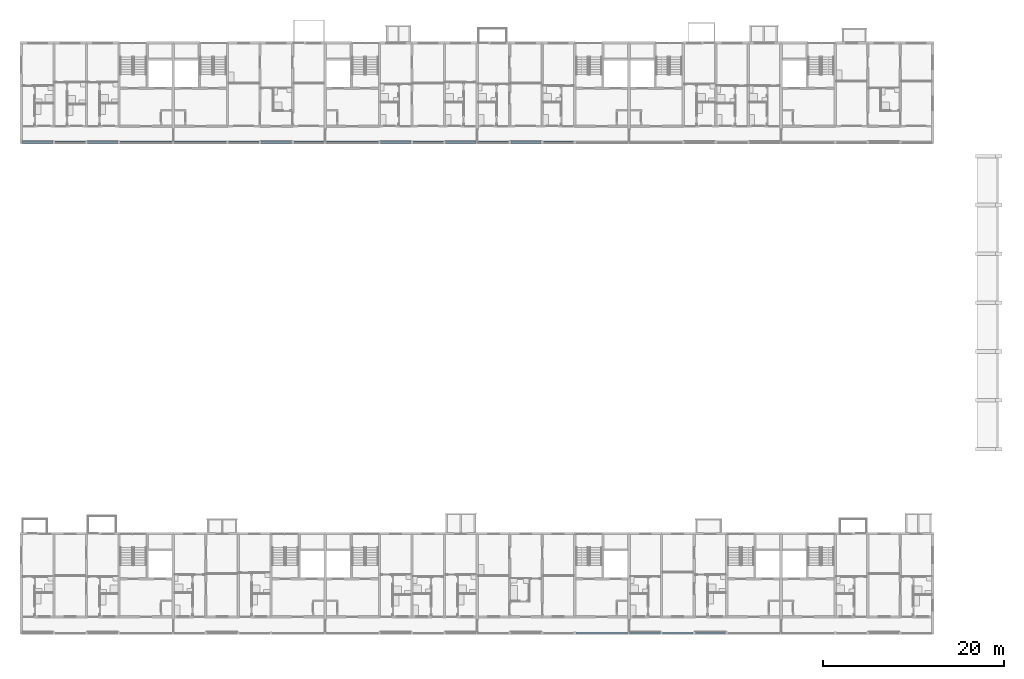
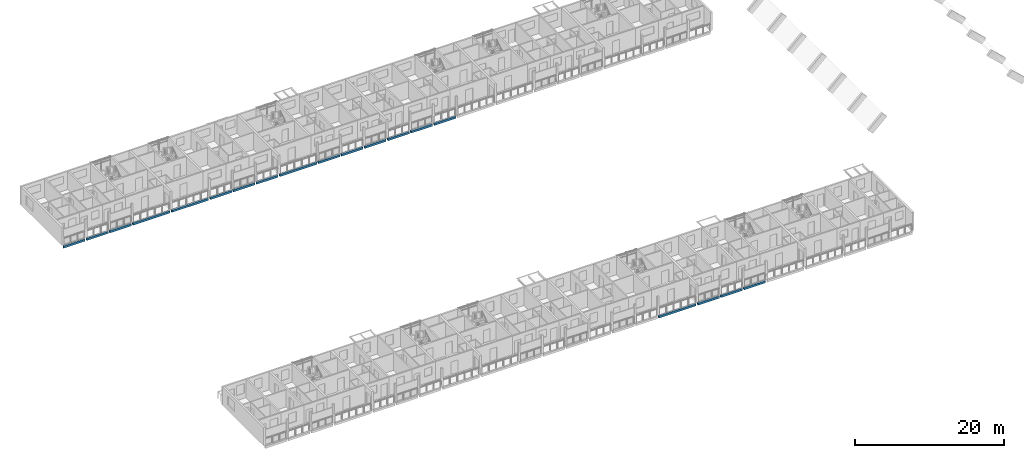
# One storey, part 8 of 98: 19 beams.
"""IFC4 building model written with IfcOpenShell, lengths in metres."""

from ifc_helpers import new_model, si_unit, direction, frame, origin, origin_2d, place, context, subcontext, project, spatial, rectangle, extrude, material, material_profile, profile_set, type_object, element, save


model = new_model("IFC4")

# Units and contexts
model_context = context("Model", 3, precision=1e-05, world=origin(), true_north=direction((0.0, 1.0)))
body_context = subcontext(model_context, "Body", "Model", "MODEL_VIEW")
ifc_project = project(units=[si_unit("LENGTHUNIT", "METRE"), si_unit("AREAUNIT", "SQUARE_METRE"), si_unit("VOLUMEUNIT", "CUBIC_METRE"), si_unit("PLANEANGLEUNIT", "RADIAN"), si_unit("MASSUNIT", "GRAM", prefix="KILO")], contexts=[model_context])

# Site, building, storey
site_placement = place(None, origin())
site = spatial("IfcSite", under=ifc_project, at=site_placement, CompositionType="ELEMENT")
building_placement = place(site_placement, origin())
building = spatial("IfcBuilding", under=site, at=building_placement, Name="Ridgestep Commons", CompositionType="ELEMENT")
storey_placement = place(building_placement, frame((0.0, 0.0, 12.0)))
storey = spatial("IfcBuildingStorey", under=building, at=storey_placement, Name="L04", CompositionType="ELEMENT", Elevation=12.0)

# Beams
ifc_material = material(Name="Precast concrete C40/50", Category="concrete")
ifc_material_profile = material_profile(ifc_material, rectangle(XDim=0.25, YDim=0.35009765625, at=origin_2d()), Name="PC 250x350")
ifc_profile_set = profile_set([ifc_material_profile], Name="Precast concrete C40/50")
beam_type = type_object("IfcBeamType", Name="Loggia edge beam 250 x 350", PredefinedType="SPANDREL", material=ifc_profile_set)
beam_1_placement = place(storey_placement, frame((73.324951171875, 11.875, -0.375), z_axis=(1.0, 0.0, 0.0), x_axis=(0.0, 1.0, 0.0)))
element("IfcBeam", 1, at=beam_1_placement, inside=storey, type_object=beam_type, Name="Loggia edge beam A4C L04", PredefinedType="SPANDREL", context=body_context, shape_type="SweptSolid", body=[
    extrude(rectangle(XDim=0.25, YDim=0.35009765625, at=origin_2d()), origin(), (0.0, 0.0, 1.0), 5.72509765625),
])
beam_2_placement = place(storey_placement, frame((79.35009765625, 11.875, -0.375), z_axis=(1.0, 0.0, 0.0), x_axis=(0.0, 1.0, 0.0)))
element("IfcBeam", 2, at=beam_2_placement, inside=storey, type_object=beam_type, Name="Loggia edge beam A5T1 L04", PredefinedType="SPANDREL", context=body_context, shape_type="SweptSolid", body=[
    extrude(rectangle(XDim=0.25, YDim=0.35009765625, at=origin_2d()), origin(), (0.0, 0.0, 1.0), 3.324951171875),
])
beam_3_placement = place(storey_placement, frame((82.925048828125, 11.875, -0.375), z_axis=(1.0, 0.0, 0.0), x_axis=(0.0, 1.0, 0.0)))
element("IfcBeam", 3, at=beam_3_placement, inside=storey, type_object=beam_type, Name="Loggia edge beam A5T2 L04", PredefinedType="SPANDREL", context=body_context, shape_type="SweptSolid", body=[
    extrude(rectangle(XDim=0.25, YDim=0.35009765625, at=origin_2d()), origin(), (0.0, 0.0, 1.0), 3.349853515625),
])
beam_4_placement = place(storey_placement, frame((86.52490234375, 11.875, -0.375), z_axis=(1.0, 0.0, 0.0), x_axis=(0.0, 1.0, 0.0)))
element("IfcBeam", 4, at=beam_4_placement, inside=storey, type_object=beam_type, Name="Loggia edge beam A5T3 L04", PredefinedType="SPANDREL", context=body_context, shape_type="SweptSolid", body=[
    extrude(rectangle(XDim=0.25, YDim=0.35009765625, at=origin_2d()), origin(), (0.0, 0.0, 1.0), 3.35009765625),
])
beam_5_placement = place(storey_placement, frame((12.14990234375, 66.125, -0.375), z_axis=(1.0, 0.0, 0.0), x_axis=(0.0, 1.0, 0.0)))
element("IfcBeam", 5, at=beam_5_placement, inside=storey, type_object=beam_type, Name="Loggia edge beam B1T1 L04", PredefinedType="SPANDREL", context=body_context, shape_type="SweptSolid", body=[
    extrude(rectangle(XDim=0.25, YDim=0.35009765625, at=origin_2d()), origin(), (0.0, 0.0, 1.0), 3.3251953125),
])
beam_6_placement = place(storey_placement, frame((15.72509765625, 66.125, -0.375), z_axis=(1.0, 0.0, 0.0), x_axis=(0.0, 1.0, 0.0)))
element("IfcBeam", 6, at=beam_6_placement, inside=storey, type_object=beam_type, Name="Loggia edge beam B1T2 L04", PredefinedType="SPANDREL", context=body_context, shape_type="SweptSolid", body=[
    extrude(rectangle(XDim=0.25, YDim=0.35009765625, at=origin_2d()), origin(), (0.0, 0.0, 1.0), 3.349853515625),
])
beam_7_placement = place(storey_placement, frame((19.324951171875, 66.125, -0.375), z_axis=(1.0, 0.0, 0.0), x_axis=(0.0, 1.0, 0.0)))
element("IfcBeam", 7, at=beam_7_placement, inside=storey, type_object=beam_type, Name="Loggia edge beam B1T3 L04", PredefinedType="SPANDREL", context=body_context, shape_type="SweptSolid", body=[
    extrude(rectangle(XDim=0.25, YDim=0.35009765625, at=origin_2d()), origin(), (0.0, 0.0, 1.0), 3.35009765625),
])
beam_8_placement = place(storey_placement, frame((22.925048828125, 66.125, -0.375), z_axis=(1.0, 0.0, 0.0), x_axis=(0.0, 1.0, 0.0)))
element("IfcBeam", 8, at=beam_8_placement, inside=storey, type_object=beam_type, Name="Loggia edge beam B1C L04", PredefinedType="SPANDREL", context=body_context, shape_type="SweptSolid", body=[
    extrude(rectangle(XDim=0.25, YDim=0.35009765625, at=origin_2d()), origin(), (0.0, 0.0, 1.0), 5.724853515625),
])
beam_9_placement = place(storey_placement, frame((28.949951171875, 66.125, -0.375), z_axis=(1.0, 0.0, 0.0), x_axis=(0.0, 1.0, 0.0)))
element("IfcBeam", 9, at=beam_9_placement, inside=storey, type_object=beam_type, Name="Loggia edge beam B2C L04", PredefinedType="SPANDREL", context=body_context, shape_type="SweptSolid", body=[
    extrude(rectangle(XDim=0.25, YDim=0.35009765625, at=origin_2d()), origin(), (0.0, 0.0, 1.0), 5.72509765625),
])
beam_10_placement = place(storey_placement, frame((34.925048828125, 66.125, -0.375), z_axis=(1.0, 0.0, 0.0), x_axis=(0.0, 1.0, 0.0)))
element("IfcBeam", 10, at=beam_10_placement, inside=storey, type_object=beam_type, Name="Loggia edge beam B2T3 L04", PredefinedType="SPANDREL", context=body_context, shape_type="SweptSolid", body=[
    extrude(rectangle(XDim=0.25, YDim=0.35009765625, at=origin_2d()), origin(), (0.0, 0.0, 1.0), 3.349853515625),
])
beam_11_placement = place(storey_placement, frame((38.52490234375, 66.125, -0.375), z_axis=(1.0, 0.0, 0.0), x_axis=(0.0, 1.0, 0.0)))
element("IfcBeam", 11, at=beam_11_placement, inside=storey, type_object=beam_type, Name="Loggia edge beam B2T2 L04", PredefinedType="SPANDREL", context=body_context, shape_type="SweptSolid", body=[
    extrude(rectangle(XDim=0.25, YDim=0.35009765625, at=origin_2d()), origin(), (0.0, 0.0, 1.0), 3.35009765625),
])
beam_12_placement = place(storey_placement, frame((42.125, 66.125, -0.375), z_axis=(1.0, 0.0, 0.0), x_axis=(0.0, 1.0, 0.0)))
element("IfcBeam", 12, at=beam_12_placement, inside=storey, type_object=beam_type, Name="Loggia edge beam B2T1 L04", PredefinedType="SPANDREL", context=body_context, shape_type="SweptSolid", body=[
    extrude(rectangle(XDim=0.25, YDim=0.35009765625, at=origin_2d()), origin(), (0.0, 0.0, 1.0), 3.324951171875),
])
beam_13_placement = place(storey_placement, frame((45.75, 66.125, -0.375), z_axis=(1.0, 0.0, 0.0), x_axis=(0.0, 1.0, 0.0)))
element("IfcBeam", 13, at=beam_13_placement, inside=storey, type_object=beam_type, Name="Loggia edge beam B3C L04", PredefinedType="SPANDREL", context=body_context, shape_type="SweptSolid", body=[
    extrude(rectangle(XDim=0.25, YDim=0.35009765625, at=origin_2d()), origin(), (0.0, 0.0, 1.0), 5.72509765625),
])
beam_14_placement = place(storey_placement, frame((51.72509765625, 66.125, -0.375), z_axis=(1.0, 0.0, 0.0), x_axis=(0.0, 1.0, 0.0)))
element("IfcBeam", 14, at=beam_14_placement, inside=storey, type_object=beam_type, Name="Loggia edge beam B3T3 L04", PredefinedType="SPANDREL", context=body_context, shape_type="SweptSolid", body=[
    extrude(rectangle(XDim=0.25, YDim=0.35009765625, at=origin_2d()), origin(), (0.0, 0.0, 1.0), 3.349853515625),
])
beam_15_placement = place(storey_placement, frame((55.324951171875, 66.125, -0.375), z_axis=(1.0, 0.0, 0.0), x_axis=(0.0, 1.0, 0.0)))
element("IfcBeam", 15, at=beam_15_placement, inside=storey, type_object=beam_type, Name="Loggia edge beam B3T2 L04", PredefinedType="SPANDREL", context=body_context, shape_type="SweptSolid", body=[
    extrude(rectangle(XDim=0.25, YDim=0.35009765625, at=origin_2d()), origin(), (0.0, 0.0, 1.0), 3.35009765625),
])
for number, where, z_axis, x_axis, name in (
    (16, (58.925048828125, 66.125, -0.375), (1.0, 0.0, 0.0), (0.0, 1.0, 0.0), "Loggia edge beam B3T1 L04"),
    (17, (62.550048828125, 66.125, -0.375), (1.0, 0.0, 0.0), (0.0, 1.0, 0.0), "Loggia edge beam B4T1 L04"),
):
    element("IfcBeam", number, at=place(storey_placement, frame(where, z_axis=z_axis, x_axis=x_axis)), inside=storey, type_object=beam_type, Name=name, PredefinedType="SPANDREL", context=body_context, shape_type="SweptSolid", body=[
        extrude(rectangle(XDim=0.25, YDim=0.35009765625, at=origin_2d()), origin(), (0.0, 0.0, 1.0), 3.324951171875),
    ])
beam_16_placement = place(storey_placement, frame((66.125, 66.125, -0.375), z_axis=(1.0, 0.0, 0.0), x_axis=(0.0, 1.0, 0.0)))
element("IfcBeam", 18, at=beam_16_placement, inside=storey, type_object=beam_type, Name="Loggia edge beam B4T2 L04", PredefinedType="SPANDREL", context=body_context, shape_type="SweptSolid", body=[
    extrude(rectangle(XDim=0.25, YDim=0.35009765625, at=origin_2d()), origin(), (0.0, 0.0, 1.0), 3.35009765625),
])
beam_17_placement = place(storey_placement, frame((69.72509765625, 66.125, -0.375), z_axis=(1.0, 0.0, 0.0), x_axis=(0.0, 1.0, 0.0)))
element("IfcBeam", 19, at=beam_17_placement, inside=storey, type_object=beam_type, Name="Loggia edge beam B4T3 L04", PredefinedType="SPANDREL", context=body_context, shape_type="SweptSolid", body=[
    extrude(rectangle(XDim=0.25, YDim=0.35009765625, at=origin_2d()), origin(), (0.0, 0.0, 1.0), 3.349853515625),
])

save(model, "model.ifc")
